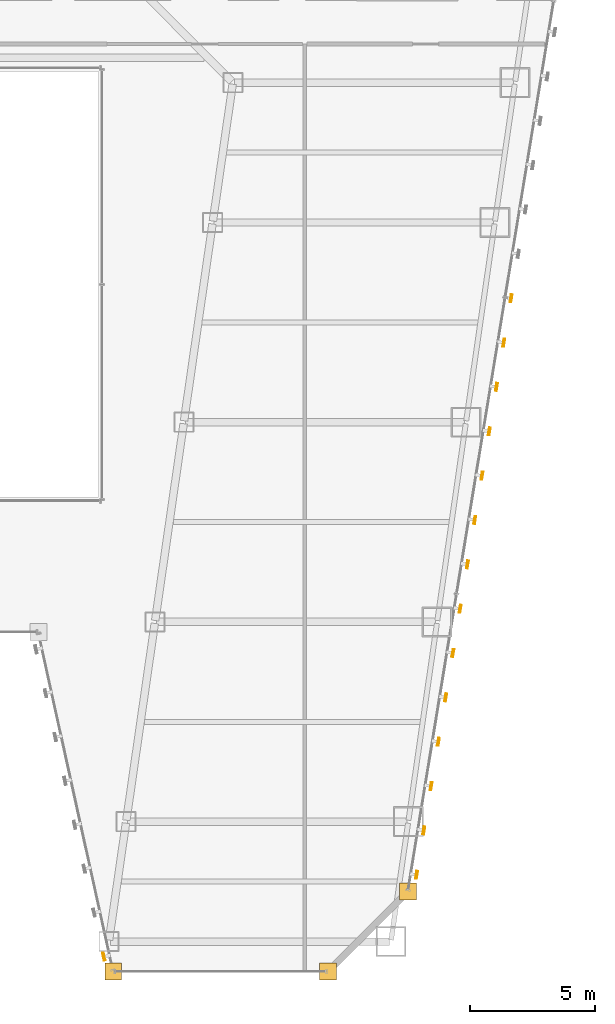
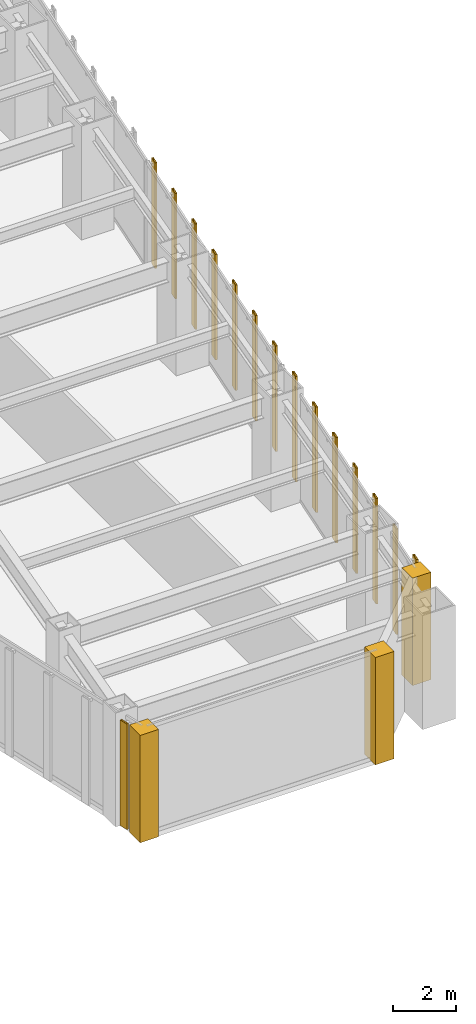
# One storey, part 44 of 47: 15 shading devices, 3 coverings.
"""IFC4 building model written with IfcOpenShell, lengths in metres."""

from ifc_helpers import new_model, si_unit, direction, frame, origin, origin_2d, place, context, subcontext, project, spatial, polyline, hollow_rectangle, outline, extrude, material, layer, layer_set, material_profile, profile_set, type_object, element, save


model = new_model("IFC4")

# Units and contexts
model_context = context("Model", 3, precision=1e-05, world=origin(), true_north=direction((0.0, 1.0)))
body_context = subcontext(model_context, "Body", "Model", "MODEL_VIEW")
ifc_project = project(units=[si_unit("LENGTHUNIT", "METRE"), si_unit("AREAUNIT", "SQUARE_METRE"), si_unit("VOLUMEUNIT", "CUBIC_METRE"), si_unit("PLANEANGLEUNIT", "RADIAN"), si_unit("MASSUNIT", "GRAM", prefix="KILO")], contexts=[model_context])

# Site, building, storey
site_placement = place(None, origin())
site = spatial("IfcSite", under=ifc_project, at=site_placement, CompositionType="ELEMENT")
building_placement = place(site_placement, origin())
building = spatial("IfcBuilding", under=site, at=building_placement, Name="Saevonmaru Cultural Tower", CompositionType="ELEMENT")
storey_placement = place(building_placement, frame((0.0, 0.0, 47.199951171875)))
storey = spatial("IfcBuildingStorey", under=building, at=storey_placement, Name="L09", CompositionType="ELEMENT", Elevation=47.199951171875)

# Coverings
ifc_material = material(Name="Satin Bronze Anodised Aluminium", Category="aluminium")
ifc_layer = layer(ifc_material, 0.679931640625, Name="Satin Bronze Anodised Aluminium")
ifc_layer_set = layer_set([ifc_layer], Name="Satin Bronze Anodised Aluminium")
covering_type = type_object("IfcCoveringType", Name="CV-CORNER-CLAD", PredefinedType="CLADDING", material=ifc_layer_set)
covering_1_placement = place(storey_placement, origin())
element("IfcCovering", 1, at=covering_1_placement, inside=storey, type_object=covering_type, Name="L09 Tower Bronze Corner Cladding Pier 6", PredefinedType="CLADDING", context=body_context, shape_type="SweptSolid", body=[
    extrude(outline(polyline([(36.06005859375, 1.659912109375), (36.739990234375, 1.659912109375), (36.739990234375, 2.340087890625), (36.06005859375, 2.340087890625), (36.06005859375, 1.659912109375)])), origin(), (0.0, 0.0, 1.0), 4.150146484375),
])
covering_2_placement = place(storey_placement, origin())
element("IfcCovering", 2, at=covering_2_placement, inside=storey, type_object=covering_type, Name="L09 Tower Bronze Corner Cladding Pier 7", PredefinedType="CLADDING", context=body_context, shape_type="SweptSolid", body=[
    extrude(outline(polyline([(44.659912109375, 1.659912109375), (45.340087890625, 1.659912109375), (45.340087890625, 2.340087890625), (44.659912109375, 2.340087890625), (44.659912109375, 1.659912109375)])), origin(), (0.0, 0.0, 1.0), 4.150146484375),
])
covering_3_placement = place(storey_placement, origin())
element("IfcCovering", 3, at=covering_3_placement, inside=storey, type_object=covering_type, Name="L09 Tower Bronze Corner Cladding Pier 8", PredefinedType="CLADDING", context=body_context, shape_type="SweptSolid", body=[
    extrude(outline(polyline([(47.860107421875, 4.860107421875), (48.5400390625, 4.860107421875), (48.5400390625, 5.5400390625), (47.860107421875, 5.5400390625), (47.860107421875, 4.860107421875)])), origin(), (0.0, 0.0, 1.0), 4.150146484375),
])

# Shading devices
ifc_material_profile = material_profile(ifc_material, hollow_rectangle(XDim=0.070068359375, YDim=0.320068359375, WallThickness=0.0048828125, at=origin_2d()), Name="FIN-320x70")
ifc_profile_set = profile_set([ifc_material_profile], Name="Satin Bronze Anodised Aluminium")
shading_device_type = type_object("IfcShadingDeviceType", Name="SHD-FIN-320", PredefinedType="JALOUSIE", material=ifc_profile_set)
for number, where, z_axis, x_axis, name in (
    (4, (36.022705078125, 2.59619140625, 0.050048828125), (0.0, 0.0, 1.0), (-0.976522126798, -0.215417120661, 0.0), "L09 Art Deco Sawtooth Bronze Fin E5-08"),
    (5, (48.552978515625, 5.869140625, 0.050048828125), (0.0, 0.0, 1.0), (0.986827496189, -0.161776057456, 0.0), "L09 Art Deco Sawtooth Bronze Fin E8-01"),
    (6, (48.843994140625, 7.6455078125, 0.050048828125), (0.0, 0.0, 1.0), (0.986827496189, -0.161776057456, 0.0), "L09 Art Deco Sawtooth Bronze Fin E8-02"),
    (7, (49.135009765625, 9.421875, 0.050048828125), (0.0, 0.0, 1.0), (0.986827496189, -0.161776057456, 0.0), "L09 Art Deco Sawtooth Bronze Fin E8-03"),
    (8, (49.426025390625, 11.197998046875, 0.050048828125), (0.0, 0.0, 1.0), (0.986827496189, -0.161776057456, 0.0), "L09 Art Deco Sawtooth Bronze Fin E8-04"),
    (9, (49.71728515625, 12.974365234375, 0.050048828125), (0.0, 0.0, 1.0), (0.986827496189, -0.161776057456, 0.0), "L09 Art Deco Sawtooth Bronze Fin E8-05"),
    (10, (50.00830078125, 14.750732421875, 0.050048828125), (0.0, 0.0, 1.0), (0.986827496189, -0.161776057456, 0.0), "L09 Art Deco Sawtooth Bronze Fin E8-06"),
    (11, (50.29931640625, 16.527099609375, 0.050048828125), (0.0, 0.0, 1.0), (0.986827496189, -0.161776057456, 0.0), "L09 Art Deco Sawtooth Bronze Fin E8-07"),
    (12, (50.59033203125, 18.30322265625, 0.050048828125), (0.0, 0.0, 1.0), (0.986827496189, -0.161776057456, 0.0), "L09 Art Deco Sawtooth Bronze Fin E8-08"),
    (13, (50.881591796875, 20.07958984375, 0.050048828125), (0.0, 0.0, 1.0), (0.986827496189, -0.161776057456, 0.0), "L09 Art Deco Sawtooth Bronze Fin E8-09"),
    (14, (51.172607421875, 21.85595703125, 0.050048828125), (0.0, 0.0, 1.0), (0.986827496189, -0.161776057456, 0.0), "L09 Art Deco Sawtooth Bronze Fin E8-10"),
    (15, (51.463623046875, 23.63232421875, 0.050048828125), (0.0, 0.0, 1.0), (0.986827496189, -0.161776057456, 0.0), "L09 Art Deco Sawtooth Bronze Fin E8-11"),
    (16, (51.754638671875, 25.40869140625, 0.050048828125), (0.0, 0.0, 1.0), (0.986827496189, -0.161776057456, 0.0), "L09 Art Deco Sawtooth Bronze Fin E8-12"),
    (17, (52.0458984375, 27.184814453125, 0.050048828125), (0.0, 0.0, 1.0), (0.986827496189, -0.161776057456, 0.0), "L09 Art Deco Sawtooth Bronze Fin E8-13"),
    (18, (52.3369140625, 28.961181640625, 0.050048828125), (0.0, 0.0, 1.0), (0.986827496189, -0.161776057456, 0.0), "L09 Art Deco Sawtooth Bronze Fin E8-14"),
):
    element("IfcShadingDevice", number, at=place(storey_placement, frame(where, z_axis=z_axis, x_axis=x_axis)), inside=storey, type_object=shading_device_type, Name=name, PredefinedType="JALOUSIE", context=body_context, shape_type="SweptSolid", body=[
        extrude(hollow_rectangle(XDim=0.070068359375, YDim=0.320068359375, WallThickness=0.0048828125, at=origin_2d()), origin(), (0.0, 0.0, 1.0), 4.080078125),
    ])

save(model, "model.ifc")
